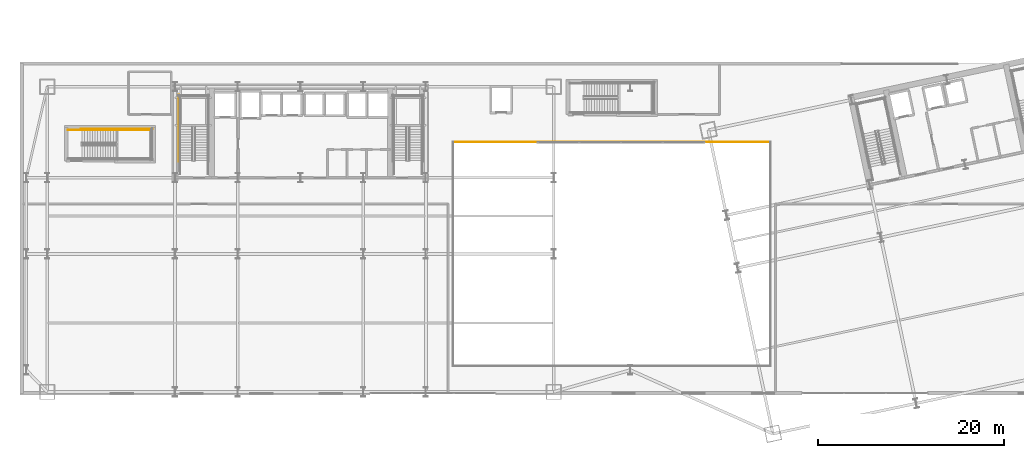
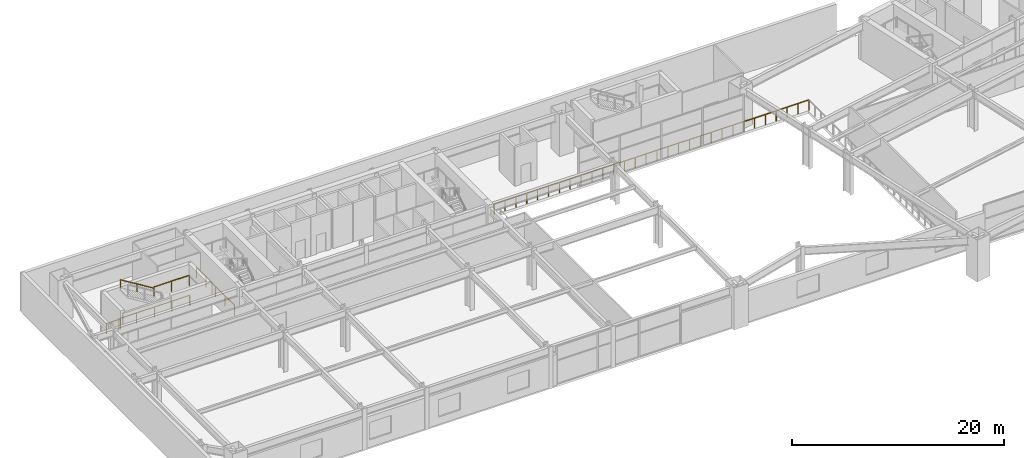
# One storey, part 25 of 30: 6 railings.
"""IFC4 building model written with IfcOpenShell, lengths in metres."""

from ifc_helpers import new_model, si_unit, direction, frame, origin, origin_2d, place, context, subcontext, project, spatial, rectangle, extrude, material, type_object, element, save


model = new_model("IFC4")

# Units and contexts
model_context = context("Model", 3, precision=1e-05, world=origin(), true_north=direction((0.0, 1.0)))
body_context = subcontext(model_context, "Body", "Model", "MODEL_VIEW")
ifc_project = project(units=[si_unit("LENGTHUNIT", "METRE"), si_unit("AREAUNIT", "SQUARE_METRE"), si_unit("VOLUMEUNIT", "CUBIC_METRE"), si_unit("PLANEANGLEUNIT", "RADIAN"), si_unit("MASSUNIT", "GRAM", prefix="KILO")], contexts=[model_context])

# Site, building, storey
site_placement = place(None, origin())
site = spatial("IfcSite", under=ifc_project, at=site_placement, CompositionType="ELEMENT")
building_placement = place(site_placement, origin())
building = spatial("IfcBuilding", under=site, at=building_placement, Name="Haevon Station Towers", CompositionType="ELEMENT")
storey_placement = place(building_placement, frame((0.0, 0.0, 15.60009765625)))
storey = spatial("IfcBuildingStorey", under=building, at=storey_placement, Name="L03", CompositionType="ELEMENT", Elevation=15.60009765625)

# Railings
ifc_material = material(Name="Steel S355", Category="steel")
railing_type_1 = type_object("IfcRailingType", Name="BAL-ATR1200", PredefinedType="BALUSTRADE", material=ifc_material)
railing_1_placement = place(storey_placement, frame((88.09814453125, 42.069091796875, 0.0)))
element("IfcRailing", 1, at=railing_1_placement, inside=storey, type_object=railing_type_1, Name="L03 Atrium Void Balustrade 3", PredefinedType="BALUSTRADE", context=body_context, shape_type="SweptSolid", body=[
    extrude(rectangle(XDim=0.048095703125, YDim=0.048095703125, at=origin_2d()), frame((0.0, 0.0, 1.17578125), z_axis=(-1.0, 0.0, 0.0), x_axis=(0.0, -1.0, 0.0)), (0.0, 0.0, 1.0), 34.1962890625),
    extrude(rectangle(XDim=0.0419921875, YDim=0.0419921875, at=origin_2d()), origin(), (0.0, 0.0, 1.0), 1.15185546875),
    extrude(rectangle(XDim=0.0419921875, YDim=0.0419921875, at=origin_2d()), frame((-1.17919921875, 0.0, 0.0)), (0.0, 0.0, 1.0), 1.15185546875),
    extrude(rectangle(XDim=0.0419921875, YDim=0.0419921875, at=origin_2d()), frame((-2.3583984375, 0.0, 0.0)), (0.0, 0.0, 1.0), 1.15185546875),
    extrude(rectangle(XDim=0.0419921875, YDim=0.0419921875, at=origin_2d()), frame((-3.53759765625, 0.0, 0.0)), (0.0, 0.0, 1.0), 1.15185546875),
    extrude(rectangle(XDim=0.0419921875, YDim=0.0419921875, at=origin_2d()), frame((-4.716796875, 0.0, 0.0)), (0.0, 0.0, 1.0), 1.15185546875),
    extrude(rectangle(XDim=0.0419921875, YDim=0.0419921875, at=origin_2d()), frame((-5.89599609375, 0.0, 0.0)), (0.0, 0.0, 1.0), 1.15185546875),
    extrude(rectangle(XDim=0.0419921875, YDim=0.0419921875, at=origin_2d()), frame((-7.0751953125, 0.0, 0.0)), (0.0, 0.0, 1.0), 1.15185546875),
    extrude(rectangle(XDim=0.0419921875, YDim=0.0419921875, at=origin_2d()), frame((-8.25439453125, 0.0, 0.0)), (0.0, 0.0, 1.0), 1.15185546875),
    extrude(rectangle(XDim=0.0419921875, YDim=0.0419921875, at=origin_2d()), frame((-9.433349609375, 0.0, 0.0)), (0.0, 0.0, 1.0), 1.15185546875),
    extrude(rectangle(XDim=0.0419921875, YDim=0.0419921875, at=origin_2d()), frame((-10.612548828125, 0.0, 0.0)), (0.0, 0.0, 1.0), 1.15185546875),
    extrude(rectangle(XDim=0.0419921875, YDim=0.0419921875, at=origin_2d()), frame((-11.791748046875, 0.0, 0.0)), (0.0, 0.0, 1.0), 1.15185546875),
    extrude(rectangle(XDim=0.0419921875, YDim=0.0419921875, at=origin_2d()), frame((-12.970947265625, 0.0, 0.0)), (0.0, 0.0, 1.0), 1.15185546875),
    extrude(rectangle(XDim=0.0419921875, YDim=0.0419921875, at=origin_2d()), frame((-14.150146484375, 0.0, 0.0)), (0.0, 0.0, 1.0), 1.15185546875),
    extrude(rectangle(XDim=0.0419921875, YDim=0.0419921875, at=origin_2d()), frame((-15.329345703125, 0.0, 0.0)), (0.0, 0.0, 1.0), 1.15185546875),
    extrude(rectangle(XDim=0.0419921875, YDim=0.0419921875, at=origin_2d()), frame((-16.508544921875, 0.0, 0.0)), (0.0, 0.0, 1.0), 1.15185546875),
    extrude(rectangle(XDim=0.0419921875, YDim=0.0419921875, at=origin_2d()), frame((-17.687744140625, 0.0, 0.0)), (0.0, 0.0, 1.0), 1.15185546875),
    extrude(rectangle(XDim=0.0419921875, YDim=0.0419921875, at=origin_2d()), frame((-18.866943359375, 0.0, 0.0)), (0.0, 0.0, 1.0), 1.15185546875),
    extrude(rectangle(XDim=0.0419921875, YDim=0.0419921875, at=origin_2d()), frame((-20.046142578125, 0.0, 0.0)), (0.0, 0.0, 1.0), 1.15185546875),
    extrude(rectangle(XDim=0.0419921875, YDim=0.0419921875, at=origin_2d()), frame((-21.225341796875, 0.0, 0.0)), (0.0, 0.0, 1.0), 1.15185546875),
    extrude(rectangle(XDim=0.0419921875, YDim=0.0419921875, at=origin_2d()), frame((-22.404541015625, 0.0, 0.0)), (0.0, 0.0, 1.0), 1.15185546875),
    extrude(rectangle(XDim=0.0419921875, YDim=0.0419921875, at=origin_2d()), frame((-23.583740234375, 0.0, 0.0)), (0.0, 0.0, 1.0), 1.15185546875),
    extrude(rectangle(XDim=0.0419921875, YDim=0.0419921875, at=origin_2d()), frame((-24.762939453125, 0.0, 0.0)), (0.0, 0.0, 1.0), 1.15185546875),
    extrude(rectangle(XDim=0.0419921875, YDim=0.0419921875, at=origin_2d()), frame((-25.94189453125, 0.0, 0.0)), (0.0, 0.0, 1.0), 1.15185546875),
    extrude(rectangle(XDim=0.0419921875, YDim=0.0419921875, at=origin_2d()), frame((-27.12109375, 0.0, 0.0)), (0.0, 0.0, 1.0), 1.15185546875),
    extrude(rectangle(XDim=0.0419921875, YDim=0.0419921875, at=origin_2d()), frame((-28.30029296875, 0.0, 0.0)), (0.0, 0.0, 1.0), 1.15185546875),
    extrude(rectangle(XDim=0.0419921875, YDim=0.0419921875, at=origin_2d()), frame((-29.4794921875, 0.0, 0.0)), (0.0, 0.0, 1.0), 1.15185546875),
    extrude(rectangle(XDim=0.0419921875, YDim=0.0419921875, at=origin_2d()), frame((-30.65869140625, 0.0, 0.0)), (0.0, 0.0, 1.0), 1.15185546875),
    extrude(rectangle(XDim=0.0419921875, YDim=0.0419921875, at=origin_2d()), frame((-31.837890625, 0.0, 0.0)), (0.0, 0.0, 1.0), 1.15185546875),
    extrude(rectangle(XDim=0.0419921875, YDim=0.0419921875, at=origin_2d()), frame((-33.01708984375, 0.0, 0.0)), (0.0, 0.0, 1.0), 1.15185546875),
    extrude(rectangle(XDim=0.0419921875, YDim=0.0419921875, at=origin_2d()), frame((-34.1962890625, 0.0, 0.0)), (0.0, 0.0, 1.0), 1.15185546875),
])
railing_type_2 = type_object("IfcRailingType", Name="GRD-STR1200", PredefinedType="GUARDRAIL", material=ifc_material)
railing_2_placement = place(storey_placement, frame((24.429931640625, 39.949951171875, 0.0)))
element("IfcRailing", 2, at=railing_2_placement, inside=storey, type_object=railing_type_2, Name="L03 ST1 Stair Guard 11", PredefinedType="GUARDRAIL", context=body_context, shape_type="SweptSolid", body=[
    extrude(rectangle(XDim=0.048095703125, YDim=0.048095703125, at=origin_2d()), frame((0.0, 0.0, 1.17578125), z_axis=(0.0, 1.0, 0.0), x_axis=(-1.0, 0.0, 0.0)), (0.0, 0.0, 1.0), 7.150146484375),
    extrude(rectangle(XDim=0.0419921875, YDim=0.0419921875, at=origin_2d()), origin(), (0.0, 0.0, 1.0), 1.15185546875),
    extrude(rectangle(XDim=0.0419921875, YDim=0.0419921875, at=origin_2d()), frame((0.0, 1.78759765625, 0.0)), (0.0, 0.0, 1.0), 1.15185546875),
    extrude(rectangle(XDim=0.0419921875, YDim=0.0419921875, at=origin_2d()), frame((0.0, 3.5751953125, 0.0)), (0.0, 0.0, 1.0), 1.15185546875),
    extrude(rectangle(XDim=0.0419921875, YDim=0.0419921875, at=origin_2d()), frame((0.0, 5.362548828125, 0.0)), (0.0, 0.0, 1.0), 1.15185546875),
    extrude(rectangle(XDim=0.0419921875, YDim=0.0419921875, at=origin_2d()), frame((0.0, 7.150146484375, 0.0)), (0.0, 0.0, 1.0), 1.15185546875),
])
railing_3_placement = place(storey_placement, frame((17.639892578125, 43.35009765625, 2.39990234375)))
element("IfcRailing", 3, at=railing_3_placement, inside=storey, type_object=railing_type_2, Name="L03 ST5 Stair Guard 4", PredefinedType="GUARDRAIL", context=body_context, shape_type="SweptSolid", body=[
    extrude(rectangle(XDim=0.048095703125, YDim=0.048095703125, at=origin_2d()), frame((0.0, 0.0, 1.17578125), z_axis=(1.0, 0.0, 0.0), x_axis=(0.0, 1.0, 0.0)), (0.0, 0.0, 1.0), 3.860107421875),
    extrude(rectangle(XDim=0.0419921875, YDim=0.0419921875, at=origin_2d()), origin(), (0.0, 0.0, 1.0), 1.15185546875),
    extrude(rectangle(XDim=0.0419921875, YDim=0.0419921875, at=origin_2d()), frame((1.93017578125, 0.0, 0.0)), (0.0, 0.0, 1.0), 1.15185546875),
    extrude(rectangle(XDim=0.0419921875, YDim=0.0419921875, at=origin_2d()), frame((3.860107421875, 0.0, 0.0)), (0.0, 0.0, 1.0), 1.15185546875),
])
railing_4_placement = place(storey_placement, frame((12.5, 43.35009765625, 0.0)))
element("IfcRailing", 4, at=railing_4_placement, inside=storey, type_object=railing_type_2, Name="L03 ST5 Stair Guard 9", PredefinedType="GUARDRAIL", context=body_context, shape_type="SweptSolid", body=[
    extrude(rectangle(XDim=0.048095703125, YDim=0.048095703125, at=origin_2d()), frame((0.0, 0.0, 1.17578125), z_axis=(1.0, 0.0, 0.0), x_axis=(0.0, 1.0, 0.0)), (0.0, 0.0, 1.0), 1.5),
    extrude(rectangle(XDim=0.0419921875, YDim=0.0419921875, at=origin_2d()), origin(), (0.0, 0.0, 1.0), 1.15185546875),
    extrude(rectangle(XDim=0.0419921875, YDim=0.0419921875, at=origin_2d()), frame((1.5, 0.0, 0.0)), (0.0, 0.0, 1.0), 1.15185546875),
])
railing_5_placement = place(storey_placement, frame((13.89990234375, 43.449951171875, 0.0)))
element("IfcRailing", 5, at=railing_5_placement, inside=storey, type_object=railing_type_2, Name="L03 ST5 Stair Guard 11", PredefinedType="GUARDRAIL", context=body_context, shape_type="SweptSolid", body=[
    extrude(rectangle(XDim=0.048095703125, YDim=0.048095703125, at=origin_2d()), frame((0.0, 0.0, 1.17578125), z_axis=(1.0, 0.0, 0.0), x_axis=(0.0, 1.0, 0.0)), (0.0, 0.0, 1.0), 7.7001953125),
    extrude(rectangle(XDim=0.0419921875, YDim=0.0419921875, at=origin_2d()), origin(), (0.0, 0.0, 1.0), 1.15185546875),
    extrude(rectangle(XDim=0.0419921875, YDim=0.0419921875, at=origin_2d()), frame((1.925048828125, 0.0, 0.0)), (0.0, 0.0, 1.0), 1.15185546875),
    extrude(rectangle(XDim=0.0419921875, YDim=0.0419921875, at=origin_2d()), frame((3.85009765625, 0.0, 0.0)), (0.0, 0.0, 1.0), 1.15185546875),
    extrude(rectangle(XDim=0.0419921875, YDim=0.0419921875, at=origin_2d()), frame((5.775146484375, 0.0, 0.0)), (0.0, 0.0, 1.0), 1.15185546875),
    extrude(rectangle(XDim=0.0419921875, YDim=0.0419921875, at=origin_2d()), frame((7.7001953125, 0.0, 0.0)), (0.0, 0.0, 1.0), 1.15185546875),
])
railing_type_3 = type_object("IfcRailingType", Name="HND-STR900", PredefinedType="HANDRAIL", material=ifc_material)
railing_6_placement = place(storey_placement, frame((17.639892578125, 43.35009765625, 2.5712890625)))
element("IfcRailing", 6, at=railing_6_placement, inside=storey, type_object=railing_type_3, Name="L03 ST5 Stair Handrail 2", PredefinedType="HANDRAIL", context=body_context, shape_type="SweptSolid", body=[
    extrude(rectangle(XDim=0.048095703125, YDim=0.048095703125, at=origin_2d()), frame((0.0, 0.0, 0.8759765625), z_axis=(-0.852850264322, 0.0, 0.5221555579), x_axis=(0.0, -1.0, 0.0)), (0.0, 0.0, 1.0), 4.267822265625),
    extrude(rectangle(XDim=0.0419921875, YDim=0.0419921875, at=origin_2d()), origin(), (0.0, 0.0, 1.0), 0.851806640625),
    extrude(rectangle(XDim=0.0419921875, YDim=0.0419921875, at=origin_2d()), frame((-1.81982421875, 0.0, 1.1142578125)), (0.0, 0.0, 1.0), 0.851806640625),
    extrude(rectangle(XDim=0.0419921875, YDim=0.0419921875, at=origin_2d()), frame((-3.639892578125, 0.0, 2.228515625)), (0.0, 0.0, 1.0), 0.851806640625),
])

save(model, "model.ifc")
